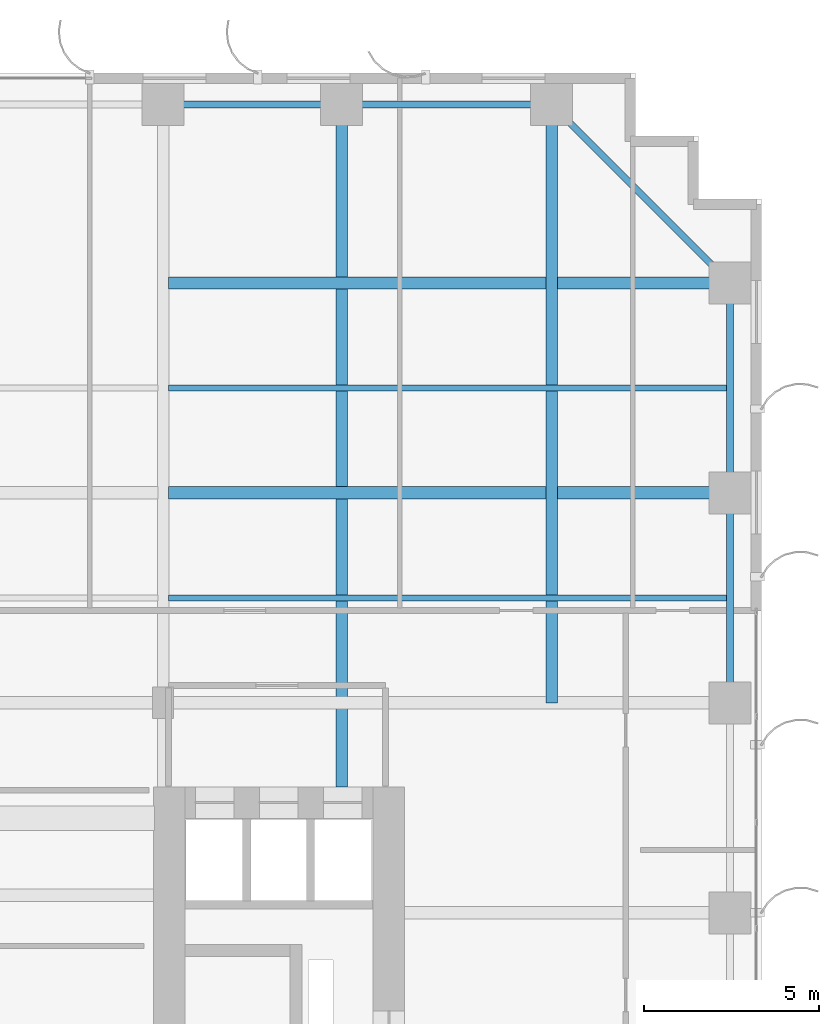
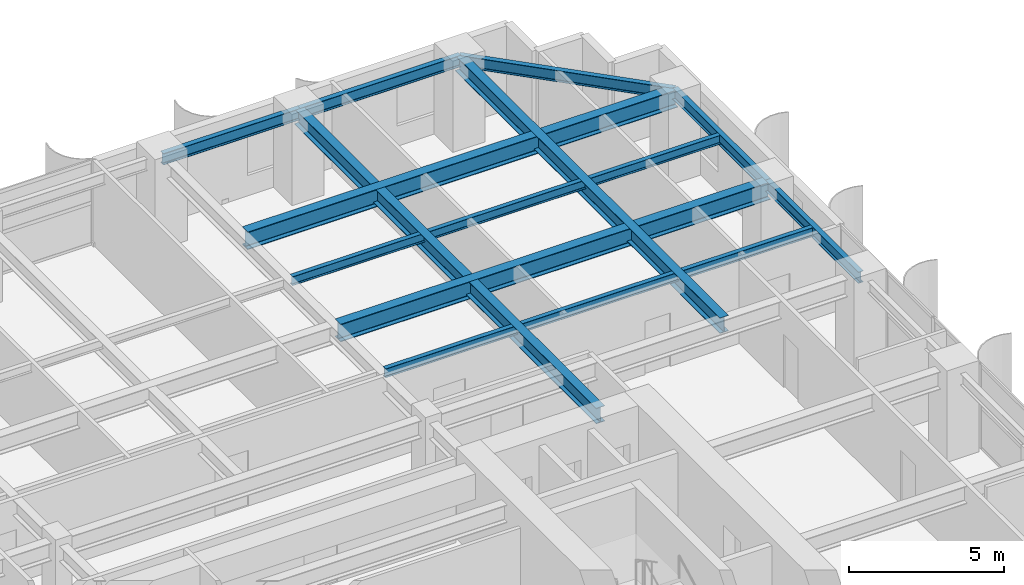
# One storey, part 15 of 25: 11 beams.
"""IFC4 building model written with IfcOpenShell, lengths in metres."""

from ifc_helpers import new_model, si_unit, direction, frame, origin, origin_2d, place, context, subcontext, project, spatial, i_section, extrude, source, transform, mapped, material, material_profile, profile_set, type_object, element, save


model = new_model("IFC4")

# Units and contexts
model_context = context("Model", 3, precision=1e-05, world=origin(), true_north=direction((0.0, 1.0)))
body_context = subcontext(model_context, "Body", "Model", "MODEL_VIEW")
ifc_project = project(units=[si_unit("LENGTHUNIT", "METRE"), si_unit("AREAUNIT", "SQUARE_METRE"), si_unit("VOLUMEUNIT", "CUBIC_METRE"), si_unit("PLANEANGLEUNIT", "RADIAN"), si_unit("MASSUNIT", "GRAM", prefix="KILO")], contexts=[model_context])

# Site, building, storey
site_placement = place(None, origin())
site = spatial("IfcSite", under=ifc_project, at=site_placement, CompositionType="ELEMENT")
building_placement = place(site_placement, origin())
building = spatial("IfcBuilding", under=site, at=building_placement, Name="Khoralis Quay Care Tower", CompositionType="ELEMENT")
storey_placement = place(building_placement, frame((0.0, 0.0, 51.300048828125)))
storey = spatial("IfcBuildingStorey", under=building, at=storey_placement, Name="L13", CompositionType="ELEMENT", Elevation=51.300048828125)

# Beams
ifc_material = material(Name="Steel S355", Category="steel")
ifc_material_profile_1 = material_profile(ifc_material, i_section(OverallWidth=0.18994140625, OverallDepth=0.449951171875, WebThickness=0.009521484375, FlangeThickness=0.0146484375, FilletRadius=0.02099609375, at=origin_2d()), Name="Steel S355")
ifc_profile_set_1 = profile_set([ifc_material_profile_1], Name="Steel S355")
beam_type_1 = type_object("IfcBeamType", Name="BM-IPE450", PredefinedType="SPANDREL", material=ifc_profile_set_1)
shared_shape_1 = source(origin(), body_context, "Body", "SweptSolid", [
    extrude(i_section(OverallWidth=0.18994140625, OverallDepth=0.449951171875, WebThickness=0.009521484375, FlangeThickness=0.0146484375, FilletRadius=0.02099609375, at=origin_2d()), origin(), (0.0, 0.0, 1.0), 6.0),
])
for number, where, z_axis, x_axis, name in (
    (1, (36.0, 47.10009765625, 3.094970703125), (1.0, 0.0, 0.0), (0.0, 1.0, 0.0), "BM-TSP-L13-12"),
    (2, (47.10009765625, 30.0, 3.094970703125), (0.0, 1.0, 0.0), (-1.0, 0.0, 0.0), "BM-TSP-L13-23"),
    (3, (47.10009765625, 36.0, 3.094970703125), (0.0, 1.0, 0.0), (-1.0, 0.0, 0.0), "BM-TSP-L13-24"),
):
    element("IfcBeam", number, at=place(storey_placement, frame(where, z_axis=z_axis, x_axis=x_axis)), inside=storey, type_object=beam_type_1, Name=name, PredefinedType="SPANDREL", context=body_context, shape_type="MappedRepresentation", body=[
        mapped(shared_shape_1, transform((0.0, 0.0, 0.0), scale=1.0)),
    ])
shared_shape_2 = source(origin(), body_context, "Body", "SweptSolid", [
    extrude(i_section(OverallWidth=0.18994140625, OverallDepth=0.449951171875, WebThickness=0.009521484375, FlangeThickness=0.0146484375, FilletRadius=0.02099609375, at=origin_2d()), origin(), (0.0, 0.0, 1.0), 5.10009765625),
])
beam_1_placement = place(storey_placement, frame((30.89990234375, 47.10009765625, 3.094970703125), z_axis=(1.0, 0.0, 0.0), x_axis=(0.0, 1.0, 0.0)))
element("IfcBeam", 4, at=beam_1_placement, inside=storey, type_object=beam_type_1, Name="BM-TSP-L13-11", PredefinedType="SPANDREL", context=body_context, shape_type="MappedRepresentation", body=[
    mapped(shared_shape_2, transform((0.0, 0.0, 0.0), scale=1.0)),
])
shared_shape_3 = source(origin(), body_context, "Body", "SweptSolid", [
    extrude(i_section(OverallWidth=0.18994140625, OverallDepth=0.449951171875, WebThickness=0.009521484375, FlangeThickness=0.0146484375, FilletRadius=0.02099609375, at=origin_2d()), origin(), (0.0, 0.0, 1.0), 7.212646484375),
])
beam_2_placement = place(storey_placement, frame((42.0, 47.10009765625, 3.094970703125), z_axis=(0.707106781187, -0.707106781187, 0.0), x_axis=(0.707106781187, 0.707106781187, 0.0)))
element("IfcBeam", 5, at=beam_2_placement, inside=storey, type_object=beam_type_1, Name="BM-TCR-L13-28", PredefinedType="SPANDREL", context=body_context, shape_type="MappedRepresentation", body=[
    mapped(shared_shape_3, transform((0.0, 0.0, 0.0), scale=1.0)),
])
ifc_material_profile_2 = material_profile(ifc_material, i_section(OverallWidth=0.35498046875, OverallDepth=0.695068359375, WebThickness=0.015380859375, FlangeThickness=0.02490234375, FilletRadius=0.02001953125, at=origin_2d()), Name="Steel S355")
ifc_profile_set_2 = profile_set([ifc_material_profile_2], Name="Steel S355")
beam_type_2 = type_object("IfcBeamType", Name="BM-W690X217", PredefinedType="BEAM", material=ifc_profile_set_2)
shared_shape_4 = source(origin(), body_context, "Body", "SweptSolid", [
    extrude(i_section(OverallWidth=0.35498046875, OverallDepth=0.695068359375, WebThickness=0.015380859375, FlangeThickness=0.02490234375, FilletRadius=0.02001953125, at=origin_2d()), origin(), (0.0, 0.0, 1.0), 16.049560546875),
])
for number, where, z_axis, x_axis, name in (
    (6, (31.050537109375, 36.0, 2.972412109375), (1.0, 0.0, 0.0), (0.0, 1.0, 0.0), "BM-TGXE-L13-360"),
    (7, (31.050537109375, 42.0, 2.972412109375), (1.0, 0.0, 0.0), (0.0, 1.0, 0.0), "BM-TGXE-L13-420"),
):
    element("IfcBeam", number, at=place(storey_placement, frame(where, z_axis=z_axis, x_axis=x_axis)), inside=storey, type_object=beam_type_2, Name=name, PredefinedType="BEAM", context=body_context, shape_type="MappedRepresentation", body=[
        mapped(shared_shape_4, transform((0.0, 0.0, 0.0), scale=1.0)),
    ])
ifc_material_profile_3 = material_profile(ifc_material, i_section(OverallWidth=0.324951171875, OverallDepth=0.615966796875, WebThickness=0.013916015625, FlangeThickness=0.021484375, FilletRadius=0.01806640625, at=origin_2d()), Name="Steel S355")
ifc_profile_set_3 = profile_set([ifc_material_profile_3], Name="Steel S355")
beam_type_3 = type_object("IfcBeamType", Name="BM-W610X174", PredefinedType="BEAM", material=ifc_profile_set_3)
shared_shape_5 = source(origin(), body_context, "Body", "SweptSolid", [
    extrude(i_section(OverallWidth=0.324951171875, OverallDepth=0.615966796875, WebThickness=0.013916015625, FlangeThickness=0.021484375, FilletRadius=0.01806640625, at=origin_2d()), origin(), (0.0, 0.0, 1.0), 17.10009765625),
])
beam_3_placement = place(storey_placement, frame((42.0, 30.0, 3.011962890625), z_axis=(0.0, 1.0, 0.0), x_axis=(-1.0, 0.0, 0.0)))
element("IfcBeam", 8, at=beam_3_placement, inside=storey, type_object=beam_type_3, Name="BM-TGYN-L13-420", PredefinedType="BEAM", context=body_context, shape_type="MappedRepresentation", body=[
    mapped(shared_shape_5, transform((0.0, 0.0, 0.0), scale=1.0)),
])
shared_shape_6 = source(origin(), body_context, "Body", "SweptSolid", [
    extrude(i_section(OverallWidth=0.324951171875, OverallDepth=0.615966796875, WebThickness=0.013916015625, FlangeThickness=0.021484375, FilletRadius=0.01806640625, at=origin_2d()), origin(), (0.0, 0.0, 1.0), 19.502197265625),
])
beam_4_placement = place(storey_placement, frame((36.0, 27.597900390625, 3.011962890625), z_axis=(0.0, 1.0, 0.0), x_axis=(-1.0, 0.0, 0.0)))
element("IfcBeam", 9, at=beam_4_placement, inside=storey, type_object=beam_type_3, Name="BM-TGYN-L13-360", PredefinedType="BEAM", context=body_context, shape_type="MappedRepresentation", body=[
    mapped(shared_shape_6, transform((0.0, 0.0, 0.0), scale=1.0)),
])
ifc_material_profile_4 = material_profile(ifc_material, i_section(OverallWidth=0.1708984375, OverallDepth=0.35498046875, WebThickness=0.007080078125, FlangeThickness=0.01171875, FilletRadius=0.012939453125, at=origin_2d()), Name="Steel S355")
ifc_profile_set_4 = profile_set([ifc_material_profile_4], Name="Steel S355")
beam_type_4 = type_object("IfcBeamType", Name="BM-W360X51", PredefinedType="JOIST", material=ifc_profile_set_4)
shared_shape_7 = source(origin(), body_context, "Body", "SweptSolid", [
    extrude(i_section(OverallWidth=0.1708984375, OverallDepth=0.35498046875, WebThickness=0.007080078125, FlangeThickness=0.01171875, FilletRadius=0.012939453125, at=origin_2d()), origin(), (0.0, 0.0, 1.0), 15.968505859375),
])
for number, where, z_axis, x_axis, name in (
    (10, (31.050537109375, 33.0, 3.142333984375), (1.0, 0.0, 0.0), (0.0, 1.0, 0.0), "BM-TJS-L13-33"),
    (11, (31.050537109375, 39.0, 3.142333984375), (1.0, 0.0, 0.0), (0.0, 1.0, 0.0), "BM-TJS-L13-36"),
):
    element("IfcBeam", number, at=place(storey_placement, frame(where, z_axis=z_axis, x_axis=x_axis)), inside=storey, type_object=beam_type_4, Name=name, PredefinedType="JOIST", context=body_context, shape_type="MappedRepresentation", body=[
        mapped(shared_shape_7, transform((0.0, 0.0, 0.0), scale=1.0)),
    ])

save(model, "model.ifc")
